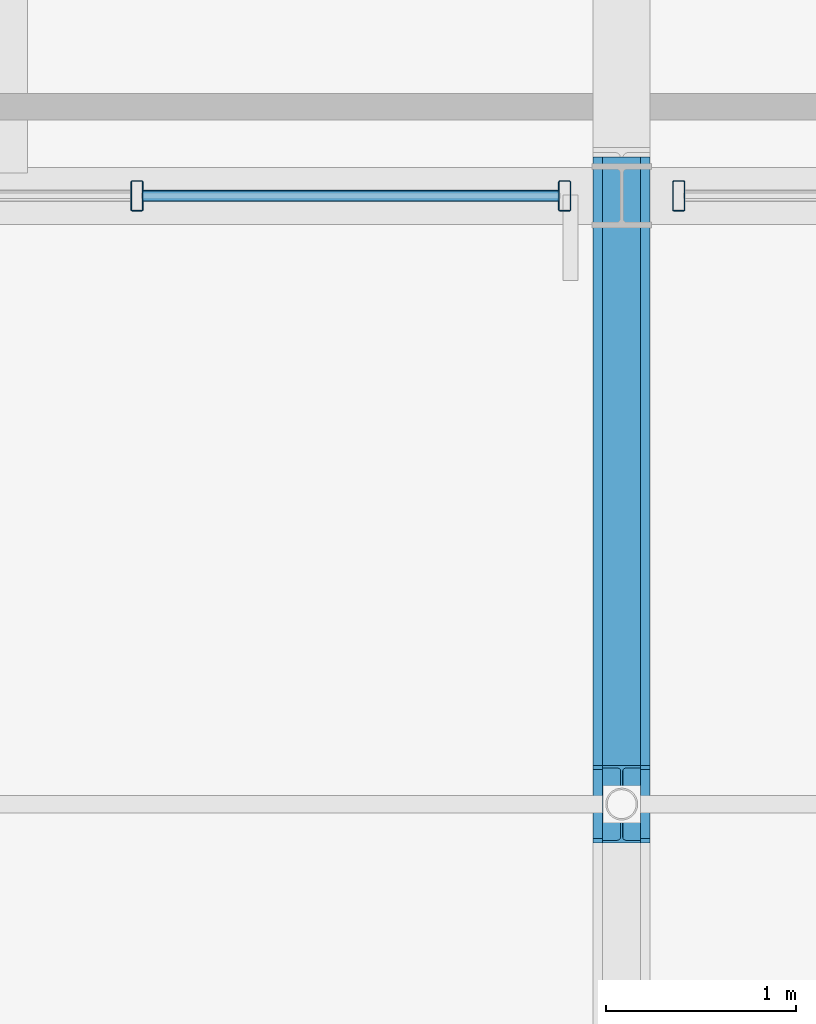
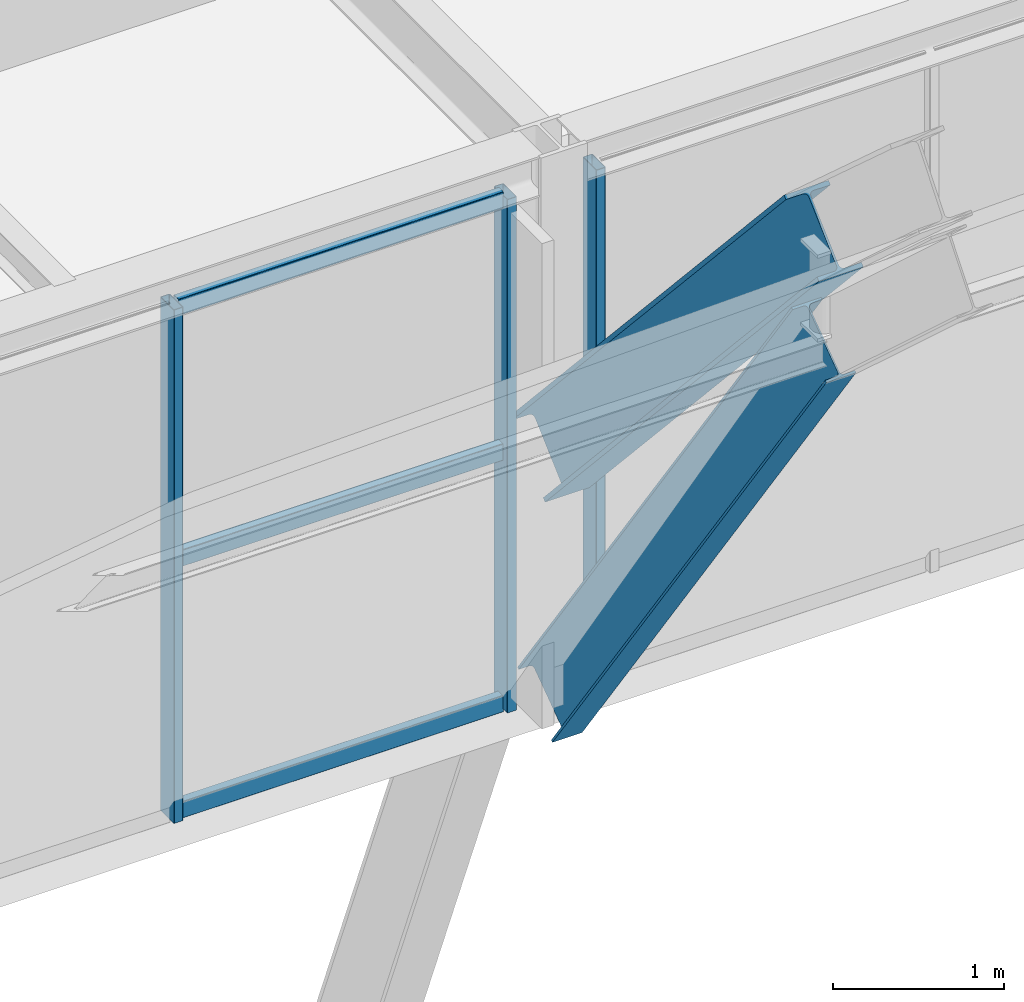
# One storey, part 78 of 126: 6 members, 2 beams, 2 elements without a shape of their own.
"""IFC4 building model written with IfcOpenShell, lengths in metres."""

from ifc_helpers import new_model, si_unit, direction, frame, origin, origin_2d, place, context, subcontext, project, spatial, hollow_rectangle, i_section, extrude, material, material_profile, profile_set, type_object, element, aggregate, save


model = new_model("IFC4")

# Units and contexts
model_context = context("Model", 3, precision=1e-05, world=origin(), true_north=direction((0.0, 1.0)))
body_context = subcontext(model_context, "Body", "Model", "MODEL_VIEW")
ifc_project = project(units=[si_unit("LENGTHUNIT", "METRE"), si_unit("AREAUNIT", "SQUARE_METRE"), si_unit("VOLUMEUNIT", "CUBIC_METRE"), si_unit("PLANEANGLEUNIT", "RADIAN"), si_unit("MASSUNIT", "GRAM", prefix="KILO")], contexts=[model_context])

# Site, building, storey
site_placement = place(None, origin())
site = spatial("IfcSite", under=ifc_project, at=site_placement, CompositionType="ELEMENT")
building_placement = place(site_placement, origin())
building = spatial("IfcBuilding", under=site, at=building_placement, Name="Coralgate Yard Interchange", CompositionType="ELEMENT")
storey_placement = place(building_placement, frame((0.0, 0.0, 10.5)))
storey = spatial("IfcBuildingStorey", under=building, at=storey_placement, Name="L02", CompositionType="ELEMENT", Elevation=10.5)

# Beams
ifc_material_1 = material(Name="Yellow-ochre weather-coated structural steel S355J2", Category="steel")
ifc_material_profile_1 = material_profile(ifc_material_1, i_section(OverallWidth=0.300048828125, OverallDepth=0.550048828125, WebThickness=0.014892578125, FlangeThickness=0.029052734375, FilletRadius=0.027099609375, at=origin_2d()), Name="HEB 550")
ifc_profile_set_1 = profile_set([ifc_material_profile_1], Name="Yellow-ochre weather-coated structural steel S355J2")
beam_type_1 = type_object("IfcBeamType", Name="BM-AR-2", PredefinedType="BEAM", material=ifc_profile_set_1)
beam_1_placement = place(storey_placement, frame((67.199951171875, 73.60009765625, 5.2138671875), z_axis=(0.0, 0.673304095466, -0.739365670713), x_axis=(-1.0, 0.0, 0.0)))
element("IfcBeam", 1, at=beam_1_placement, inside=storey, type_object=beam_type_1, Name="Yellow-ochre overarching steel arch AR-2 chord 13", PredefinedType="BEAM", context=body_context, shape_type="SweptSolid", body=[
    extrude(i_section(OverallWidth=0.300048828125, OverallDepth=0.550048828125, WebThickness=0.014892578125, FlangeThickness=0.029052734375, FilletRadius=0.027099609375, at=origin_2d()), origin(), (0.0, 0.0, 1.0), 4.752685546875),
])
ifc_material_2 = material(Name="Weather-coated structural steel S355J2", Category="steel")
ifc_material_profile_2 = material_profile(ifc_material_2, i_section(OverallWidth=0.199951171875, OverallDepth=0.5, WebThickness=0.01025390625, FlangeThickness=0.01611328125, FilletRadius=0.02099609375, at=origin_2d()), Name="IPE 500")
ifc_profile_set_2 = profile_set([ifc_material_profile_2], Name="Weather-coated structural steel S355J2")
beam_type_2 = type_object("IfcBeamType", Name="BM-VR-2", PredefinedType="BEAM", material=ifc_profile_set_2)
beam_2_placement = place(storey_placement, frame((67.199951171875, 73.60009765625, 4.436279296875), z_axis=(0.0, 0.578975368299, -0.81534503304), x_axis=(-1.0, 0.0, 0.0)))
element("IfcBeam", 2, at=beam_2_placement, inside=storey, type_object=beam_type_2, Name="Barrel-vault gridshell rib 4 seg 12", PredefinedType="BEAM", context=body_context, shape_type="SweptSolid", body=[
    extrude(i_section(OverallWidth=0.199951171875, OverallDepth=0.5, WebThickness=0.01025390625, FlangeThickness=0.01611328125, FilletRadius=0.02099609375, at=origin_2d()), origin(), (0.0, 0.0, 1.0), 5.52685546875),
])

# Curtain wall, members
ifc_material_3 = material(Name="Anodised coastal aluminium and solar-control low-E glass", Category="aluminium")
curtain_wall_type = type_object("IfcCurtainWallType", Name="CW-CW-L02-A", PredefinedType="NOTDEFINED", material=ifc_material_3)
curtain_wall_1_placement = place(storey_placement, origin())
curtain_wall_1 = element("IfcCurtainWall", 3, at=curtain_wall_1_placement, inside=storey, type_object=curtain_wall_type, Name="L02 unitised curtain wall CW-L02-S-06-08", PredefinedType="NOTDEFINED")
ifc_material_4 = material(Name="Anodised coastal aluminium 6063-T6", Category="aluminium")
ifc_material_profile_3 = material_profile(ifc_material_4, hollow_rectangle(XDim=0.06494140625, YDim=0.159912109375, WallThickness=0.00390625, InnerFilletRadius=0.00390625, OuterFilletRadius=0.008056640625, at=origin_2d()), Name="ALU 65x160x4")
ifc_profile_set_3 = profile_set([ifc_material_profile_3], Name="Anodised coastal aluminium 6063-T6")
member_type_1 = type_object("IfcMemberType", Name="MB-MUL-160", PredefinedType="MULLION", material=ifc_profile_set_3)
member_1_placement = place(storey_placement, frame((66.89990234375, 76.800048828125, 0.0), z_axis=(0.0, 0.0, 1.0), x_axis=(1.0, 0.0, 0.0)))
member_1 = element("IfcMember", 4, at=member_1_placement, type_object=member_type_1, Name="CW-L02-S-06-08 vertical mullion 1", PredefinedType="MULLION", context=body_context, shape_type="SweptSolid", body=[
    extrude(hollow_rectangle(XDim=0.06494140625, YDim=0.159912109375, WallThickness=0.00390625, InnerFilletRadius=0.00390625, OuterFilletRadius=0.008056640625, at=origin_2d()), origin(), (0.0, 0.0, 1.0), 3.659912109375),
])
member_2_placement = place(storey_placement, frame((64.64990234375, 76.800048828125, 0.0), z_axis=(0.0, 0.0, 1.0), x_axis=(1.0, 0.0, 0.0)))
member_2 = element("IfcMember", 5, at=member_2_placement, type_object=member_type_1, Name="CW-L02-S-06-08 vertical mullion 2", PredefinedType="MULLION", context=body_context, shape_type="SweptSolid", body=[
    extrude(hollow_rectangle(XDim=0.06494140625, YDim=0.159912109375, WallThickness=0.00390625, InnerFilletRadius=0.00390625, OuterFilletRadius=0.008056640625, at=origin_2d()), origin(), (0.0, 0.0, 1.0), 3.659912109375),
])

# Curtain wall, member
curtain_wall_2_placement = place(storey_placement, origin())
curtain_wall_2 = element("IfcCurtainWall", 6, at=curtain_wall_2_placement, inside=storey, type_object=curtain_wall_type, Name="L02 unitised curtain wall CW-L02-S-07-08", PredefinedType="NOTDEFINED")
member_3_placement = place(storey_placement, frame((67.5, 76.800048828125, 0.0), z_axis=(0.0, 0.0, 1.0), x_axis=(1.0, 0.0, 0.0)))
member_3 = element("IfcMember", 7, at=member_3_placement, type_object=member_type_1, Name="CW-L02-S-07-08 vertical mullion 5", PredefinedType="MULLION", context=body_context, shape_type="SweptSolid", body=[
    extrude(hollow_rectangle(XDim=0.06494140625, YDim=0.159912109375, WallThickness=0.00390625, InnerFilletRadius=0.00390625, OuterFilletRadius=0.008056640625, at=origin_2d()), origin(), (0.0, 0.0, 1.0), 3.659912109375),
])
aggregate(curtain_wall_2, [member_3])

# Member
ifc_material_profile_4 = material_profile(ifc_material_4, hollow_rectangle(XDim=0.06005859375, YDim=0.1201171875, WallThickness=0.00341796875, InnerFilletRadius=0.00341796875, OuterFilletRadius=0.007080078125, at=origin_2d()), Name="ALU 60x120x3.5")
ifc_profile_set_4 = profile_set([ifc_material_profile_4], Name="Anodised coastal aluminium 6063-T6")
member_type_2 = type_object("IfcMemberType", Name="MB-TRN-120", PredefinedType="USERDEFINED", material=ifc_profile_set_4)
member_4_placement = place(storey_placement, frame((66.8701171875, 76.800048828125, 0.034912109375), z_axis=(-1.0, 0.0, 0.0), x_axis=(0.0, -1.0, 0.0)))
member_4 = element("IfcMember", 8, at=member_4_placement, type_object=member_type_2, Name="CW-L02-S-06-08 horizontal transom 1-1", ObjectType="TRANSOM", PredefinedType="USERDEFINED", context=body_context, shape_type="SweptSolid", body=[
    extrude(hollow_rectangle(XDim=0.06005859375, YDim=0.1201171875, WallThickness=0.00341796875, InnerFilletRadius=0.00341796875, OuterFilletRadius=0.007080078125, at=origin_2d()), origin(), (0.0, 0.0, 1.0), 2.190185546875),
])

member_5_placement = place(storey_placement, frame((66.8701171875, 76.800048828125, 1.830078125), z_axis=(-1.0, 0.0, 0.0), x_axis=(0.0, -1.0, 0.0)))
member_5 = element("IfcMember", 9, at=member_5_placement, type_object=member_type_2, Name="CW-L02-S-06-08 horizontal transom 1-2", ObjectType="TRANSOM", PredefinedType="USERDEFINED", context=body_context, shape_type="SweptSolid", body=[
    extrude(hollow_rectangle(XDim=0.06005859375, YDim=0.1201171875, WallThickness=0.00341796875, InnerFilletRadius=0.00341796875, OuterFilletRadius=0.007080078125, at=origin_2d()), origin(), (0.0, 0.0, 1.0), 2.190185546875),
])

member_6_placement = place(storey_placement, frame((66.8701171875, 76.800048828125, 3.625), z_axis=(-1.0, 0.0, 0.0), x_axis=(0.0, -1.0, 0.0)))
member_6 = element("IfcMember", 10, at=member_6_placement, type_object=member_type_2, Name="CW-L02-S-06-08 horizontal transom 1-3", ObjectType="TRANSOM", PredefinedType="USERDEFINED", context=body_context, shape_type="SweptSolid", body=[
    extrude(hollow_rectangle(XDim=0.06005859375, YDim=0.1201171875, WallThickness=0.00341796875, InnerFilletRadius=0.00341796875, OuterFilletRadius=0.007080078125, at=origin_2d()), origin(), (0.0, 0.0, 1.0), 2.190185546875),
])

aggregate(curtain_wall_1, [member_1, member_2, member_4, member_5, member_6])

save(model, "model.ifc")
